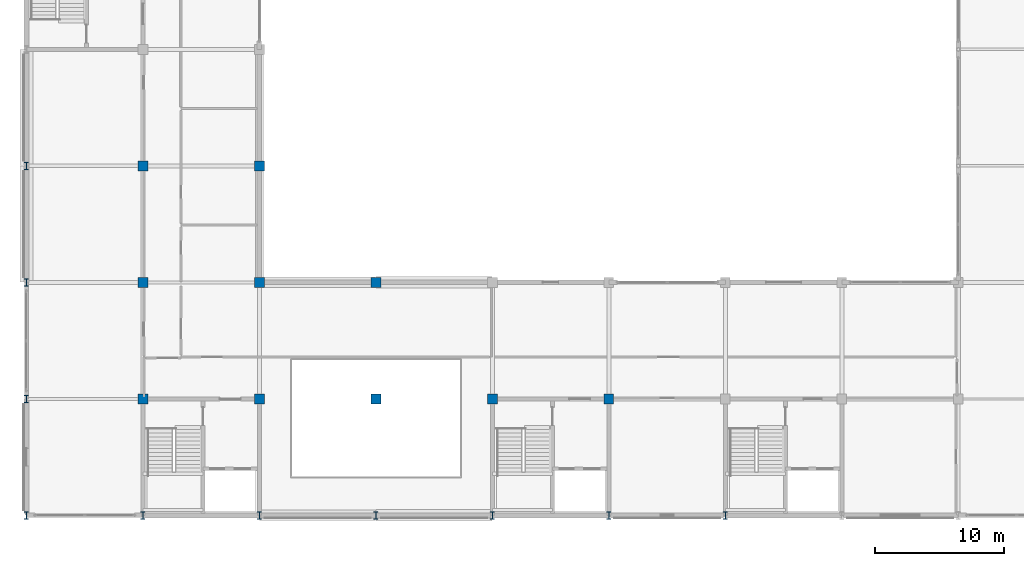
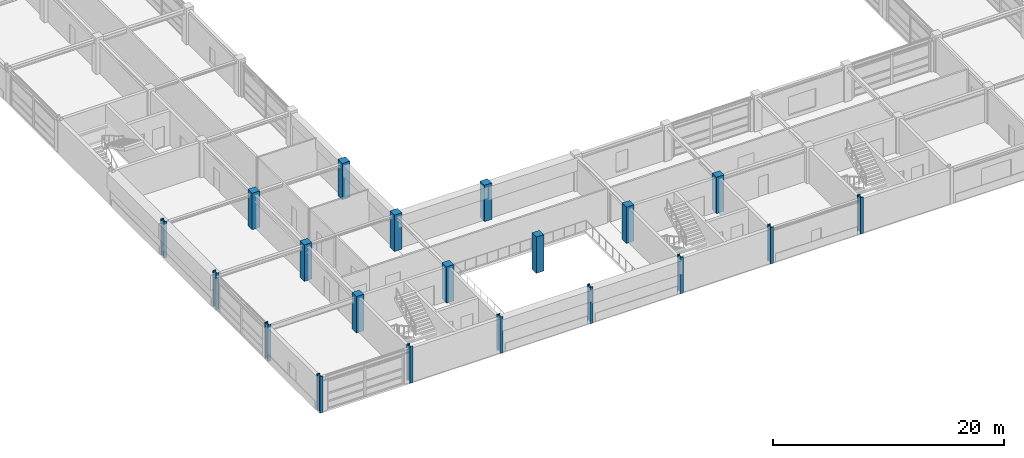
# One storey, part 1 of 79: 20 columns.
"""IFC4 building model written with IfcOpenShell, lengths in metres."""

from ifc_helpers import new_model, si_unit, direction, frame, origin, origin_2d, place, context, subcontext, project, spatial, rectangle, i_section, extrude, material, material_profile, profile_set, type_object, element, save


model = new_model("IFC4")

# Units and contexts
model_context = context("Model", 3, precision=1e-05, world=origin(), true_north=direction((0.0, 1.0)))
body_context = subcontext(model_context, "Body", "Model", "MODEL_VIEW")
ifc_project = project(units=[si_unit("LENGTHUNIT", "METRE"), si_unit("AREAUNIT", "SQUARE_METRE"), si_unit("VOLUMEUNIT", "CUBIC_METRE"), si_unit("PLANEANGLEUNIT", "RADIAN"), si_unit("MASSUNIT", "GRAM", prefix="KILO")], contexts=[model_context])

# Site, building, storey
site_placement = place(None, origin())
site = spatial("IfcSite", under=ifc_project, at=site_placement, CompositionType="ELEMENT")
building_placement = place(site_placement, origin())
building = spatial("IfcBuilding", under=site, at=building_placement, Name="Palais des Congres Ocreval", CompositionType="ELEMENT")
storey_placement = place(building_placement, frame((0.0, 0.0, 4.320068359375)))
storey = spatial("IfcBuildingStorey", under=building, at=storey_placement, Name="L01", CompositionType="ELEMENT", Elevation=4.320068359375)

# Columns
ifc_material_1 = material(Name="Steel S460", Category="steel")
ifc_material_profile_1 = material_profile(ifc_material_1, i_section(OverallWidth=0.305908203125, OverallDepth=0.572021484375, WebThickness=0.02099609375, FlangeThickness=0.0400390625, at=origin_2d()), Name="HEM 550")
ifc_profile_set_1 = profile_set([ifc_material_profile_1], Name="Steel S460")
column_type_1 = type_object("IfcColumnType", Name="Column HEM 550 Steel S460", PredefinedType="COLUMN", material=ifc_profile_set_1)
for number, where, z_axis, x_axis, name in (
    (1, (0.0, 0.0, 0.0), (0.0, 0.0, 1.0), (1.0, 0.0, 0.0), "Column C05 L01"),
    (2, (0.0, 9.0, 0.0), (0.0, 0.0, 1.0), (1.0, 0.0, 0.0), "Column C05 L01"),
    (3, (0.0, 18.0, 0.0), (0.0, 0.0, 1.0), (1.0, 0.0, 0.0), "Column C05 L01"),
    (4, (0.0, 27.0, 0.0), (0.0, 0.0, 1.0), (1.0, 0.0, 0.0), "Column C05 L01"),
    (5, (9.0, 0.0, 0.0), (0.0, 0.0, 1.0), (1.0, 0.0, 0.0), "Column C05 L01"),
    (6, (18.0, 0.0, 0.0), (0.0, 0.0, 1.0), (1.0, 0.0, 0.0), "Column C05 L01"),
    (7, (27.0, 0.0, 0.0), (0.0, 0.0, 1.0), (1.0, 0.0, 0.0), "Column C05 L01"),
    (8, (36.0, 0.0, 0.0), (0.0, 0.0, 1.0), (1.0, 0.0, 0.0), "Column C05 L01"),
    (9, (45.0, 0.0, 0.0), (0.0, 0.0, 1.0), (1.0, 0.0, 0.0), "Column C05 L01"),
    (10, (54.0, 0.0, 0.0), (0.0, 0.0, 1.0), (1.0, 0.0, 0.0), "Column C05 L01"),
):
    element("IfcColumn", number, at=place(storey_placement, frame(where, z_axis=z_axis, x_axis=x_axis)), inside=storey, type_object=column_type_1, Name=name, PredefinedType="COLUMN", context=body_context, shape_type="SweptSolid", body=[
        extrude(i_section(OverallWidth=0.305908203125, OverallDepth=0.572021484375, WebThickness=0.02099609375, FlangeThickness=0.0400390625, at=origin_2d()), origin(), (0.0, 0.0, 1.0), 3.83984375),
    ])
ifc_material_2 = material(Name="Concrete C40/50", Category="concrete")
ifc_material_profile_2 = material_profile(ifc_material_2, rectangle(XDim=0.75, YDim=0.75, at=origin_2d()), Name="RC 750x750")
ifc_profile_set_2 = profile_set([ifc_material_profile_2], Name="Concrete C40/50")
column_type_2 = type_object("IfcColumnType", Name="Column RC 750x750 Concrete C40/50", PredefinedType="COLUMN", material=ifc_profile_set_2)
for number, where, z_axis, x_axis, name in (
    (11, (9.0, 9.0, 0.0), (0.0, 0.0, 1.0), (1.0, 0.0, 0.0), "Column C22 L01"),
    (12, (9.0, 18.0, 0.0), (0.0, 0.0, 1.0), (1.0, 0.0, 0.0), "Column C22 L01"),
    (13, (9.0, 27.0, 0.0), (0.0, 0.0, 1.0), (1.0, 0.0, 0.0), "Column C22 L01"),
    (14, (18.0, 9.0, 0.0), (0.0, 0.0, 1.0), (1.0, 0.0, 0.0), "Column C22 L01"),
    (15, (18.0, 18.0, 0.0), (0.0, 0.0, 1.0), (1.0, 0.0, 0.0), "Column C22 L01"),
    (16, (18.0, 27.0, 0.0), (0.0, 0.0, 1.0), (1.0, 0.0, 0.0), "Column C22 L01"),
    (17, (27.0, 9.0, 0.0), (0.0, 0.0, 1.0), (1.0, 0.0, 0.0), "Column C22 L01"),
    (18, (27.0, 18.0, 0.0), (0.0, 0.0, 1.0), (1.0, 0.0, 0.0), "Column C22 L01"),
    (19, (36.0, 9.0, 0.0), (0.0, 0.0, 1.0), (1.0, 0.0, 0.0), "Column C22 L01"),
    (20, (45.0, 9.0, 0.0), (0.0, 0.0, 1.0), (1.0, 0.0, 0.0), "Column C22 L01"),
):
    element("IfcColumn", number, at=place(storey_placement, frame(where, z_axis=z_axis, x_axis=x_axis)), inside=storey, type_object=column_type_2, Name=name, PredefinedType="COLUMN", context=body_context, shape_type="SweptSolid", body=[
        extrude(rectangle(XDim=0.75, YDim=0.75, at=origin_2d()), origin(), (0.0, 0.0, 1.0), 3.83984375),
    ])

save(model, "model.ifc")
